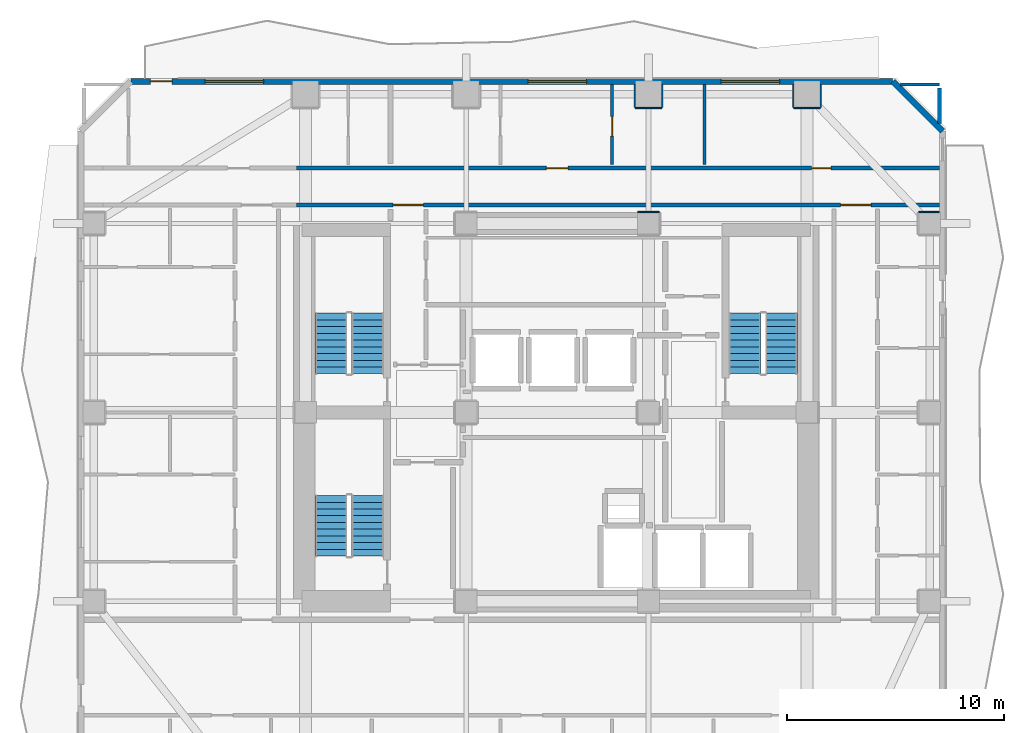
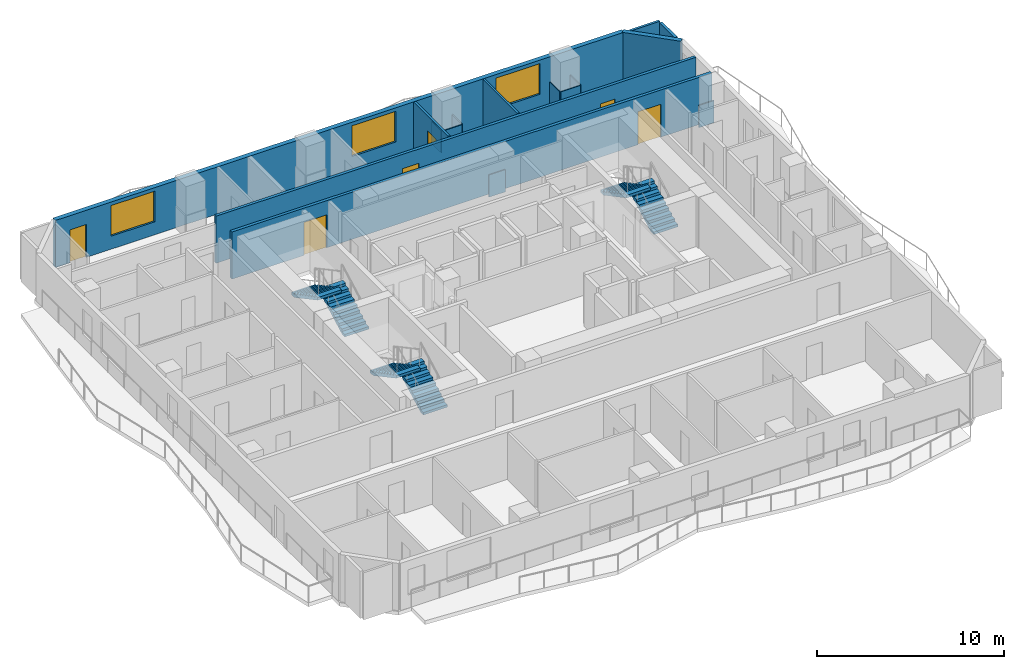
# One storey, part 7 of 11: 16 walls, 6 doors, 6 stair flights, 3 windows, 9 openings, 3 elements without a shape of their own.
"""IFC4 building model written with IfcOpenShell, lengths in metres."""

from ifc_helpers import new_model, si_unit, direction, frame, frame_2d, origin, place, context, subcontext, project, spatial, polyline, rectangle, outline, extrude, material, layer, layer_set, type_object, element, fill, aggregate, save


model = new_model("IFC4")

# Units and contexts
model_context = context("Model", 3, precision=1e-05, world=origin(), true_north=direction((0.0, 1.0)))
body_context = subcontext(model_context, "Body", "Model", "MODEL_VIEW")
ifc_project = project(units=[si_unit("LENGTHUNIT", "METRE"), si_unit("AREAUNIT", "SQUARE_METRE"), si_unit("VOLUMEUNIT", "CUBIC_METRE"), si_unit("PLANEANGLEUNIT", "RADIAN"), si_unit("MASSUNIT", "GRAM", prefix="KILO")], contexts=[model_context])

# Site, building, storey
site_placement = place(None, origin())
site = spatial("IfcSite", under=ifc_project, at=site_placement, CompositionType="ELEMENT")
building_placement = place(site_placement, origin())
building = spatial("IfcBuilding", under=site, at=building_placement, Name="Solanera Arch Residences", CompositionType="ELEMENT")
storey_placement = place(building_placement, frame((0.0, 0.0, 109.39990234375)))
storey = spatial("IfcBuildingStorey", under=building, at=storey_placement, Name="L31", CompositionType="ELEMENT", Elevation=109.39990234375)

# Walls
ifc_material_1 = material(Name="Fire-Rated Gypsum Stud Partition", Category="gypsum")
ifc_layer_1 = layer(ifc_material_1, 0.06005859375)
ifc_layer_set_1 = layer_set([ifc_layer_1], Name="Fire-Rated Gypsum Stud Partition")
wall_type_1 = type_object("IfcWallType", Name="Column Acoustic Furring Wall 60", PredefinedType="PARTITIONING", material=ifc_layer_set_1)
wall_1_placement = place(storey_placement, frame((28.699951171875, 39.931884765625, 0.0), z_axis=(0.0, 0.0, 1.0), x_axis=(1.0, 0.0, 0.0)))
element("IfcWall", 1, at=wall_1_placement, inside=storey, type_object=wall_type_1, Name="L31 Column Furring 4N", PredefinedType="PARTITIONING", context=body_context, shape_type="SweptSolid", body=[
    extrude(rectangle(XDim=1.0, YDim=0.06005859375, at=frame_2d((0.5, 0.0))), origin(), (0.0, 0.0, 1.0), 1.4501953125),
])
wall_2_placement = place(storey_placement, frame((28.60009765625, 44.718017578125, 0.0), z_axis=(0.0, 0.0, 1.0), x_axis=(1.0, 0.0, 0.0)))
element("IfcWall", 2, at=wall_2_placement, inside=storey, type_object=wall_type_1, Name="L31 Column Furring 14S", PredefinedType="PARTITIONING", context=body_context, shape_type="SweptSolid", body=[
    extrude(rectangle(XDim=1.199951171875, YDim=0.06005859375, at=frame_2d((0.60009765625, 0.0))), origin(), (0.0, 0.0, 1.0), 1.4501953125),
])
for number, where, z_axis, x_axis, name in (
    (3, (28.568115234375, 44.75, 0.0), (0.0, 0.0, 1.0), (0.0, 1.0, 0.0), "L31 Column Furring 14W"),
    (4, (29.83203125, 44.75, 0.0), (0.0, 0.0, 1.0), (0.0, 1.0, 0.0), "L31 Column Furring 14E"),
):
    element("IfcWall", number, at=place(storey_placement, frame(where, z_axis=z_axis, x_axis=x_axis)), inside=storey, type_object=wall_type_1, Name=name, PredefinedType="PARTITIONING", context=body_context, shape_type="SweptSolid", body=[
        extrude(rectangle(XDim=1.0400390625, YDim=0.06005859375, at=frame_2d((0.52001953125, 0.0))), origin(), (0.0, 0.0, 1.0), 1.4501953125),
    ])
wall_3_placement = place(storey_placement, frame((35.89990234375, 44.718017578125, 0.0), z_axis=(0.0, 0.0, 1.0), x_axis=(1.0, 0.0, 0.0)))
element("IfcWall", 5, at=wall_3_placement, inside=storey, type_object=wall_type_1, Name="L31 Column Furring 16S", PredefinedType="PARTITIONING", context=body_context, shape_type="SweptSolid", body=[
    extrude(rectangle(XDim=1.2001953125, YDim=0.06005859375, at=frame_2d((0.60009765625, 0.0))), origin(), (0.0, 0.0, 1.0), 1.4501953125),
])
for number, where, z_axis, x_axis, name in (
    (6, (35.867919921875, 44.75, 0.0), (0.0, 0.0, 1.0), (0.0, 1.0, 0.0), "L31 Column Furring 16W"),
    (7, (37.132080078125, 44.75, 0.0), (0.0, 0.0, 1.0), (0.0, 1.0, 0.0), "L31 Column Furring 16E"),
):
    element("IfcWall", number, at=place(storey_placement, frame(where, z_axis=z_axis, x_axis=x_axis)), inside=storey, type_object=wall_type_1, Name=name, PredefinedType="PARTITIONING", context=body_context, shape_type="SweptSolid", body=[
        extrude(rectangle(XDim=1.0400390625, YDim=0.06005859375, at=frame_2d((0.52001953125, 0.0))), origin(), (0.0, 0.0, 1.0), 1.4501953125),
    ])
wall_4_placement = place(storey_placement, frame((41.64990234375, 39.931884765625, 0.0), z_axis=(0.0, 0.0, 1.0), x_axis=(1.0, 0.0, 0.0)))
element("IfcWall", 8, at=wall_4_placement, inside=storey, type_object=wall_type_1, Name="L31 Column Furring 22N", PredefinedType="PARTITIONING", context=body_context, shape_type="SweptSolid", body=[
    extrude(rectangle(XDim=0.940185546875, YDim=0.06005859375, at=frame_2d((0.47021484375, 0.0))), origin(), (0.0, 0.0, 1.0), 1.4501953125),
])

# Wall, openings, doors
ifc_material_2 = material(Name="Autoclaved Aerated Concrete Blockwork", Category="masonry")
ifc_layer_2 = layer(ifc_material_2, 0.179931640625)
ifc_layer_set_2 = layer_set([ifc_layer_2], Name="Autoclaved Aerated Concrete Blockwork")
wall_type_2 = type_object("IfcWallType", Name="Corridor Fire Partition 180", PredefinedType="PARTITIONING", material=ifc_layer_set_2)
wall_5_placement = place(storey_placement, frame((12.97900390625, 40.25, 0.0), z_axis=(0.0, 0.0, 1.0), x_axis=(1.0, 0.0, 0.0)))
wall_5 = element("IfcWall", 9, at=wall_5_placement, inside=storey, type_object=wall_type_2, Name="L31 Interior Partition H11 3", PredefinedType="PARTITIONING", context=body_context, shape_type="SweptSolid", body=[
    extrude(rectangle(XDim=29.614013671875, YDim=0.179931640625, at=frame_2d((14.80712890625, 0.0))), origin(), (0.0, 0.0, 1.0), 3.080078125),
])
opening_1_placement = place(wall_5_placement, frame((4.4560546875, 0.0, 0.0)))
opening_1 = element("IfcOpeningElement", 10, at=opening_1_placement, cuts=wall_5, Name="Opening DF-03", PredefinedType="OPENING", context=body_context, shape_type="SweptSolid", body=[
    extrude(rectangle(XDim=1.39990234375, YDim=2.14990234375, at=frame_2d((0.699951171875, 1.074951171875))), frame((0.0, 0.10009765625, 0.0), z_axis=(0.0, -1.0, 0.0), x_axis=(1.0, 0.0, 0.0)), (0.0, 0.0, 1.0), 0.1999),
])
opening_2_placement = place(wall_5_placement, frame((25.071044921875, 0.0, 0.0)))
opening_2 = element("IfcOpeningElement", 11, at=opening_2_placement, cuts=wall_5, Name="Opening DF-03", PredefinedType="OPENING", context=body_context, shape_type="SweptSolid", body=[
    extrude(rectangle(XDim=1.39990234375, YDim=2.14990234375, at=frame_2d((0.699951171875, 1.074951171875))), frame((0.0, 0.10009765625, 0.0), z_axis=(0.0, -1.0, 0.0), x_axis=(1.0, 0.0, 0.0)), (0.0, 0.0, 1.0), 0.1999),
])
ifc_material_3 = material(Name="Fire-Rated Architectural Hardwood", Category="wood")
door_type_1 = type_object("IfcDoorType", Name="Corridor Smoke Door DF-03", OperationType="NOTDEFINED", PredefinedType="DOOR", material=ifc_material_3)
door_1_placement = place(opening_1_placement, origin())
door_1 = element("IfcDoor", 12, at=door_1_placement, inside=storey, type_object=door_type_1, Name="DR-L31-IN-009", OperationType="SINGLE_SWING_LEFT", OverallHeight=2.14990234375, OverallWidth=1.39990234375, PredefinedType="DOOR", context=body_context, shape_type="SweptSolid", body=[
    extrude(rectangle(XDim=1.39990234375, YDim=2.14990234375, at=frame_2d((0.699951171875, 1.074951171875))), frame((0.0, 0.02490234375, 0.0), z_axis=(0.0, -1.0, 0.0), x_axis=(1.0, 0.0, 0.0)), (0.0, 0.0, 1.0), 0.050048828125),
])
fill(opening_1, door_1)
door_2_placement = place(opening_2_placement, origin())
door_2 = element("IfcDoor", 13, at=door_2_placement, inside=storey, type_object=door_type_1, Name="DR-L31-IN-013", OperationType="SINGLE_SWING_LEFT", OverallHeight=2.14990234375, OverallWidth=1.39990234375, PredefinedType="DOOR", context=body_context, shape_type="SweptSolid", body=[
    extrude(rectangle(XDim=1.39990234375, YDim=2.14990234375, at=frame_2d((0.699951171875, 1.074951171875))), frame((0.0, 0.02490234375, 0.0), z_axis=(0.0, -1.0, 0.0), x_axis=(1.0, 0.0, 0.0)), (0.0, 0.0, 1.0), 0.050048828125),
])
fill(opening_2, door_2)

wall_6_placement = place(storey_placement, frame((12.97900390625, 41.949951171875, 0.0), z_axis=(0.0, 0.0, 1.0), x_axis=(1.0, 0.0, 0.0)))
wall_6 = element("IfcWall", 14, at=wall_6_placement, inside=storey, type_object=wall_type_2, Name="L31 Interior Partition H12 3", PredefinedType="PARTITIONING", context=body_context, shape_type="SweptSolid", body=[
    extrude(rectangle(XDim=29.614013671875, YDim=0.179931640625, at=frame_2d((14.80712890625, 0.0))), origin(), (0.0, 0.0, 1.0), 3.080078125),
])
opening_3_placement = place(wall_6_placement, frame((11.52099609375, 0.0, 0.0)))
opening_3 = element("IfcOpeningElement", 15, at=opening_3_placement, cuts=wall_6, Name="Opening DI-01", PredefinedType="OPENING", context=body_context, shape_type="SweptSolid", body=[
    extrude(rectangle(XDim=1.0, YDim=2.14990234375, at=frame_2d((0.5, 1.074951171875))), frame((0.0, 0.10009765625, 0.0), z_axis=(0.0, -1.0, 0.0), x_axis=(1.0, 0.0, 0.0)), (0.0, 0.0, 1.0), 0.1999),
])
opening_4_placement = place(wall_6_placement, frame((23.736083984375, 0.0, 0.0)))
opening_4 = element("IfcOpeningElement", 16, at=opening_4_placement, cuts=wall_6, Name="Opening DI-02", PredefinedType="OPENING", context=body_context, shape_type="SweptSolid", body=[
    extrude(rectangle(XDim=0.89990234375, YDim=2.10009765625, at=frame_2d((0.449951171875, 1.050048828125))), frame((0.0, 0.10009765625, 0.0), z_axis=(0.0, -1.0, 0.0), x_axis=(1.0, 0.0, 0.0)), (0.0, 0.0, 1.0), 0.1999),
])
ifc_material_4 = material(Name="Fire-Rated Architectural Hardwood", Category="wood")
door_type_2 = type_object("IfcDoorType", Name="Suite Room Swing Door DI-02", OperationType="NOTDEFINED", PredefinedType="DOOR", material=ifc_material_4)
door_3_placement = place(opening_4_placement, origin())
door_3 = element("IfcDoor", 17, at=door_3_placement, inside=storey, type_object=door_type_2, Name="DR-L31-IN-035", OperationType="SINGLE_SWING_LEFT", OverallHeight=2.10009765625, OverallWidth=0.89990234375, PredefinedType="DOOR", context=body_context, shape_type="SweptSolid", body=[
    extrude(rectangle(XDim=0.89990234375, YDim=2.10009765625, at=frame_2d((0.449951171875, 1.050048828125))), frame((0.0, 0.02490234375, 0.0), z_axis=(0.0, -1.0, 0.0), x_axis=(1.0, 0.0, 0.0)), (0.0, 0.0, 1.0), 0.050048828125),
])
fill(opening_4, door_3)
ifc_material_5 = material(Name="Fire-Rated Architectural Hardwood", Category="wood")
door_type_3 = type_object("IfcDoorType", Name="Unit Entrance Fire Door DI-01", OperationType="NOTDEFINED", PredefinedType="DOOR", material=ifc_material_5)
door_4_placement = place(opening_3_placement, origin())
door_4 = element("IfcDoor", 18, at=door_4_placement, inside=storey, type_object=door_type_3, Name="DR-L31-IN-032", OperationType="SINGLE_SWING_RIGHT", OverallHeight=2.14990234375, OverallWidth=1.0, PredefinedType="DOOR", context=body_context, shape_type="SweptSolid", body=[
    extrude(rectangle(XDim=1.0, YDim=2.14990234375, at=frame_2d((0.5, 1.074951171875))), frame((0.0, 0.02490234375, 0.0), z_axis=(0.0, -1.0, 0.0), x_axis=(1.0, 0.0, 0.0)), (0.0, 0.0, 1.0), 0.050048828125),
])
fill(opening_3, door_4)

# Wall
wall_7_placement = place(storey_placement, frame((42.60009765625, 44.0048828125, 0.0), z_axis=(0.0, 0.0, 1.0), x_axis=(0.0, 1.0, 0.0)))
element("IfcWall", 19, at=wall_7_placement, inside=storey, type_object=wall_type_2, Name="L31 Interior Partition V14 2", PredefinedType="PARTITIONING", context=body_context, shape_type="SweptSolid", body=[
    extrude(rectangle(XDim=1.627197265625, YDim=0.179931640625, at=frame_2d((0.8134765625, 0.0))), origin(), (0.0, 0.0, 1.0), 3.080078125),
])

# Wall, openings, door, windows
ifc_material_6 = material(Name="Precast Concrete C35/45", Category="concrete")
ifc_layer_3 = layer(ifc_material_6, 0.280029296875)
ifc_layer_set_3 = layer_set([ifc_layer_3], Name="Precast Concrete C35/45")
wall_type_3 = type_object("IfcWallType", Name="Exterior Wall Precast Masonry-Frame 280", PredefinedType="STANDARD", material=ifc_layer_set_3)
wall_8_placement = place(storey_placement, frame((5.35498046875, 45.945068359375, 0.0), z_axis=(0.0, 0.0, 1.0), x_axis=(1.0, 0.0, 0.0)))
wall_8 = element("IfcWall", 20, at=wall_8_placement, inside=storey, type_object=wall_type_3, Name="L31 Tower Exterior Precast Masonry-Frame Wall N", PredefinedType="STANDARD", context=body_context, shape_type="SweptSolid", body=[
    extrude(rectangle(XDim=35.090087890625, YDim=0.280029296875, at=frame_2d((17.544921875, 0.0))), origin(), (0.0, 0.0, 1.0), 3.080078125),
])
opening_5_placement = place(wall_8_placement, frame((0.904052734375, 0.0, 0.0)))
opening_5 = element("IfcOpeningElement", 21, at=opening_5_placement, cuts=wall_8, Name="Opening DB-01", PredefinedType="OPENING", context=body_context, shape_type="SweptSolid", body=[
    extrude(rectangle(XDim=1.0, YDim=2.14990234375, at=frame_2d((0.5, 1.074951171875))), frame((0.0, 0.14990234375, 0.0), z_axis=(0.0, -1.0, 0.0), x_axis=(1.0, 0.0, 0.0)), (0.0, 0.0, 1.0), 0.3),
])
opening_6_placement = place(wall_8_placement, frame((3.424072265625, 0.0, 0.85009765625)))
opening_6 = element("IfcOpeningElement", 22, at=opening_6_placement, cuts=wall_8, Name="Opening W-09", PredefinedType="OPENING", context=body_context, shape_type="SweptSolid", body=[
    extrude(rectangle(XDim=2.699951171875, YDim=2.0, at=frame_2d((1.35009765625, 1.0))), frame((0.0, 0.14990234375, 0.0), z_axis=(0.0, -1.0, 0.0), x_axis=(1.0, 0.0, 0.0)), (0.0, 0.0, 1.0), 0.3),
])
opening_7_placement = place(wall_8_placement, frame((18.294921875, 0.0, 0.85009765625)))
opening_7 = element("IfcOpeningElement", 23, at=opening_7_placement, cuts=wall_8, Name="Opening W-09", PredefinedType="OPENING", context=body_context, shape_type="SweptSolid", body=[
    extrude(rectangle(XDim=2.699951171875, YDim=2.0, at=frame_2d((1.35009765625, 1.0))), frame((0.0, 0.14990234375, 0.0), z_axis=(0.0, -1.0, 0.0), x_axis=(1.0, 0.0, 0.0)), (0.0, 0.0, 1.0), 0.3),
])
opening_8_placement = place(wall_8_placement, frame((27.18408203125, 0.0, 0.85009765625)))
opening_8 = element("IfcOpeningElement", 24, at=opening_8_placement, cuts=wall_8, Name="Opening W-09", PredefinedType="OPENING", context=body_context, shape_type="SweptSolid", body=[
    extrude(rectangle(XDim=2.699951171875, YDim=2.0, at=frame_2d((1.35009765625, 1.0))), frame((0.0, 0.14990234375, 0.0), z_axis=(0.0, -1.0, 0.0), x_axis=(1.0, 0.0, 0.0)), (0.0, 0.0, 1.0), 0.3),
])
ifc_material_7 = material(Name="Anodised Aluminium Alloy 6063-T6", Category="aluminium")
door_type_4 = type_object("IfcDoorType", Name="Glazed Balcony Swing Door DB-01", OperationType="NOTDEFINED", PredefinedType="DOOR", material=ifc_material_7)
door_5_placement = place(opening_5_placement, origin())
door_5 = element("IfcDoor", 25, at=door_5_placement, inside=storey, type_object=door_type_4, Name="DR-L31-OUT-02", OperationType="SINGLE_SWING_RIGHT", OverallHeight=2.14990234375, OverallWidth=1.0, PredefinedType="DOOR", context=body_context, shape_type="SweptSolid", body=[
    extrude(rectangle(XDim=1.0, YDim=2.14990234375, at=frame_2d((0.5, 1.074951171875))), frame((0.0, 0.02490234375, 0.0), z_axis=(0.0, -1.0, 0.0), x_axis=(1.0, 0.0, 0.0)), (0.0, 0.0, 1.0), 0.050048828125),
])
fill(opening_5, door_5)
ifc_material_8 = material(Name="Double Glazed Low-E Laminated Glass", Category="glass")
window_type = type_object("IfcWindowType", Name="Punched Window W-09", PartitioningType="TRIPLE_PANEL_VERTICAL", PredefinedType="WINDOW", material=ifc_material_8)
window_1_placement = place(opening_6_placement, origin())
window_1 = element("IfcWindow", 26, at=window_1_placement, inside=storey, type_object=window_type, Name="L31 3104-LIV Punched Window", OverallHeight=2.0, OverallWidth=2.699951171875, PartitioningType="SINGLE_PANEL", PredefinedType="WINDOW", context=body_context, shape_type="SweptSolid", body=[
    extrude(rectangle(XDim=2.699951171875, YDim=2.0, at=frame_2d((1.35009765625, 1.0))), frame((0.0, 0.030029296875, 0.0), z_axis=(0.0, -1.0, 0.0), x_axis=(1.0, 0.0, 0.0)), (0.0, 0.0, 1.0), 0.06005859375),
])
fill(opening_6, window_1)
window_2_placement = place(opening_7_placement, origin())
window_2 = element("IfcWindow", 27, at=window_2_placement, inside=storey, type_object=window_type, Name="L31 3105-LIV Punched Window", OverallHeight=2.0, OverallWidth=2.699951171875, PartitioningType="SINGLE_PANEL", PredefinedType="WINDOW", context=body_context, shape_type="SweptSolid", body=[
    extrude(rectangle(XDim=2.699951171875, YDim=2.0, at=frame_2d((1.35009765625, 1.0))), frame((0.0, 0.030029296875, 0.0), z_axis=(0.0, -1.0, 0.0), x_axis=(1.0, 0.0, 0.0)), (0.0, 0.0, 1.0), 0.06005859375),
])
fill(opening_7, window_2)
window_3_placement = place(opening_8_placement, origin())
window_3 = element("IfcWindow", 28, at=window_3_placement, inside=storey, type_object=window_type, Name="L31 AMN-OFF Punched Window", OverallHeight=2.0, OverallWidth=2.699951171875, PartitioningType="SINGLE_PANEL", PredefinedType="WINDOW", context=body_context, shape_type="SweptSolid", body=[
    extrude(rectangle(XDim=2.699951171875, YDim=2.0, at=frame_2d((1.35009765625, 1.0))), frame((0.0, 0.030029296875, 0.0), z_axis=(0.0, -1.0, 0.0), x_axis=(1.0, 0.0, 0.0)), (0.0, 0.0, 1.0), 0.06005859375),
])
fill(opening_8, window_3)

# Walls
wall_9_placement = place(storey_placement, frame((40.445068359375, 45.945068359375, 0.0), z_axis=(0.0, 0.0, 1.0), x_axis=(0.707106781187, -0.707106781187, 0.0)))
element("IfcWall", 29, at=wall_9_placement, inside=storey, type_object=wall_type_3, Name="L31 Tower Exterior Precast Masonry-Frame Wall CH3", PredefinedType="STANDARD", context=body_context, shape_type="SweptSolid", body=[
    extrude(rectangle(XDim=3.252685546875, YDim=0.280029296875, at=frame_2d((1.62646484375, 0.0))), origin(), (0.0, 0.0, 1.0), 3.080078125),
])
ifc_material_9 = material(Name="Fire-Rated Gypsum Stud Partition", Category="gypsum")
ifc_layer_4 = layer(ifc_material_9, 0.1201171875)
ifc_layer_set_4 = layer_set([ifc_layer_4], Name="Fire-Rated Gypsum Stud Partition")
wall_type_4 = type_object("IfcWallType", Name="Unit Drywall Partition 120", PredefinedType="PARTITIONING", material=ifc_layer_set_4)
wall_10_placement = place(storey_placement, frame((31.778076171875, 42.10791015625, 0.0), z_axis=(0.0, 0.0, 1.0), x_axis=(0.0, 1.0, 0.0)))
element("IfcWall", 30, at=wall_10_placement, inside=storey, type_object=wall_type_4, Name="L31 Interior Partition V28", PredefinedType="PARTITIONING", context=body_context, shape_type="SweptSolid", body=[
    extrude(rectangle(XDim=3.68505859375, YDim=0.1201171875, at=frame_2d((1.842529296875, 0.0))), origin(), (0.0, 0.0, 1.0), 3.080078125),
])
ifc_material_10 = material(Name="Autoclaved Aerated Concrete Blockwork", Category="masonry")
ifc_layer_5 = layer(ifc_material_10, 0.139892578125)
ifc_layer_set_5 = layer_set([ifc_layer_5], Name="Autoclaved Aerated Concrete Blockwork")
wall_type_5 = type_object("IfcWallType", Name="Wet-Room Partition 140", PredefinedType="PARTITIONING", material=ifc_layer_set_5)
wall_11_placement = place(storey_placement, frame((40.804931640625, 45.800048828125, 0.0), z_axis=(0.0, 0.0, 1.0), x_axis=(1.0, 0.0, 0.0)))
element("IfcWall", 31, at=wall_11_placement, inside=storey, type_object=wall_type_5, Name="L31 Interior Partition H24 2", PredefinedType="PARTITIONING", context=body_context, shape_type="SweptSolid", body=[
    extrude(rectangle(XDim=1.795166015625, YDim=0.139892578125, at=frame_2d((0.8974609375, 0.0))), origin(), (0.0, 0.0, 1.0), 3.080078125),
])

# Wall, opening, door
wall_12_placement = place(storey_placement, frame((27.52001953125, 42.117919921875, 0.0), z_axis=(0.0, 0.0, 1.0), x_axis=(0.0, 1.0, 0.0)))
wall_12 = element("IfcWall", 32, at=wall_12_placement, inside=storey, type_object=wall_type_5, Name="L31 Interior Partition V23", PredefinedType="PARTITIONING", context=body_context, shape_type="SweptSolid", body=[
    extrude(rectangle(XDim=3.675048828125, YDim=0.139892578125, at=frame_2d((1.83740234375, 0.0))), origin(), (0.0, 0.0, 1.0), 3.080078125),
])
opening_9_placement = place(wall_12_placement, frame((1.306884765625, 0.0, 0.0)))
opening_9 = element("IfcOpeningElement", 33, at=opening_9_placement, cuts=wall_12, Name="Opening DI-02", PredefinedType="OPENING", context=body_context, shape_type="SweptSolid", body=[
    extrude(rectangle(XDim=0.89990234375, YDim=2.10009765625, at=frame_2d((0.449951171875, 1.050048828125))), frame((0.0, 0.079833984375, 0.0), z_axis=(0.0, -1.0, 0.0), x_axis=(1.0, 0.0, 0.0)), (0.0, 0.0, 1.0), 0.1599),
])
door_6_placement = place(opening_9_placement, origin())
door_6 = element("IfcDoor", 34, at=door_6_placement, inside=storey, type_object=door_type_2, Name="DR-L31-IN-034", OperationType="SINGLE_SWING_RIGHT", OverallHeight=2.10009765625, OverallWidth=0.89990234375, PredefinedType="DOOR", context=body_context, shape_type="SweptSolid", body=[
    extrude(rectangle(XDim=0.89990234375, YDim=2.10009765625, at=frame_2d((0.449951171875, 1.050048828125))), frame((0.0, 0.02490234375, 0.0), z_axis=(0.0, -1.0, 0.0), x_axis=(1.0, 0.0, 0.0)), (0.0, 0.0, 1.0), 0.050048828125),
])
fill(opening_9, door_6)

# Stair, stair flights
ifc_material_11 = material(Name="Concrete C40/50 (f'c = 45 MPa)", Category="concrete")
stair_type = type_object("IfcStairType", Name="Tower Dogleg Exit Stair 1480", PredefinedType="HALF_TURN_STAIR", material=ifc_material_11)
stair_1_placement = place(storey_placement, origin())
stair_1 = element("IfcStair", 35, at=stair_1_placement, inside=storey, type_object=stair_type, Name="L31 Tower Core Exit Stair 1", PredefinedType="HALF_TURN_STAIR")
ifc_material_12 = material(Name="Concrete C40/50 (f'c = 45 MPa)", Category="concrete")
stair_flight_type = type_object("IfcStairFlightType", Name="Tower Precast Stair Flight 1480", PredefinedType="STRAIGHT", material=ifc_material_12)
stair_flight_1_placement = place(storey_placement, frame((16.260009765625, 32.47998046875, 0.0), z_axis=(0.0, 0.0, 1.0), x_axis=(0.0, 1.0, 0.0)))
stair_flight_1 = element("IfcStairFlight", 36, at=stair_flight_1_placement, type_object=stair_flight_type, Name="ST-T1 flight 1", NumberOfRisers=10, NumberOfTreads=9, PredefinedType="STRAIGHT", RiserHeight=0.166, TreadLength=0.31, context=body_context, shape_type="SweptSolid", body=[
    extrude(outline(polyline([(0.0, 0.0), (0.0, 0.166015625), (0.31005859375, 0.166015625), (0.31005859375, 0.33203125), (0.6201171875, 0.33203125), (0.6201171875, 0.498046875), (0.929931640625, 0.498046875), (0.929931640625, 0.6640625), (1.239990234375, 0.6640625), (1.239990234375, 0.830078125), (1.550048828125, 0.830078125), (1.550048828125, 0.99609375), (1.860107421875, 0.99609375), (1.860107421875, 1.162109375), (2.169921875, 1.162109375), (2.169921875, 1.327880859375), (2.47998046875, 1.327880859375), (2.47998046875, 1.493896484375), (2.7900390625, 1.493896484375), (2.7900390625, 1.659912109375), (2.7900390625, 1.323974609375), (0.317626953125, 0.0), (0.0, 0.0)])), frame((0.0, 0.739990234375, 0.0), z_axis=(0.0, -1.0, 0.0), x_axis=(1.0, 0.0, 0.0)), (0.0, 0.0, 1.0), 1.47998046875),
])
stair_flight_2_placement = place(storey_placement, frame((14.580078125, 35.27001953125, 1.66015625), z_axis=(0.0, 0.0, 1.0), x_axis=(0.0, -1.0, 0.0)))
stair_flight_2 = element("IfcStairFlight", 37, at=stair_flight_2_placement, type_object=stair_flight_type, Name="ST-T1 flight 2", NumberOfRisers=10, NumberOfTreads=9, PredefinedType="STRAIGHT", RiserHeight=0.166, TreadLength=0.31, context=body_context, shape_type="SweptSolid", body=[
    extrude(outline(polyline([(0.0, 0.0), (0.0, 0.166015625), (0.31005859375, 0.166015625), (0.31005859375, 0.33203125), (0.6201171875, 0.33203125), (0.6201171875, 0.498046875), (0.929931640625, 0.498046875), (0.929931640625, 0.6640625), (1.239990234375, 0.6640625), (1.239990234375, 0.830078125), (1.550048828125, 0.830078125), (1.550048828125, 0.99609375), (1.860107421875, 0.99609375), (1.860107421875, 1.162109375), (2.169921875, 1.162109375), (2.169921875, 1.327880859375), (2.47998046875, 1.327880859375), (2.47998046875, 1.493896484375), (2.7900390625, 1.493896484375), (2.7900390625, 1.659912109375), (2.7900390625, 1.323974609375), (0.317626953125, 0.0), (0.0, 0.0)])), frame((0.0, 0.739990234375, 0.0), z_axis=(0.0, -1.0, 0.0), x_axis=(1.0, 0.0, 0.0)), (0.0, 0.0, 1.0), 1.47998046875),
])
aggregate(stair_1, [stair_flight_1, stair_flight_2])

stair_2_placement = place(storey_placement, origin())
stair_2 = element("IfcStair", 38, at=stair_2_placement, inside=storey, type_object=stair_type, Name="L31 Tower Core Exit Stair 2", PredefinedType="HALF_TURN_STAIR")
stair_flight_3_placement = place(storey_placement, frame((35.320068359375, 32.47998046875, 0.0), z_axis=(0.0, 0.0, 1.0), x_axis=(0.0, 1.0, 0.0)))
stair_flight_3 = element("IfcStairFlight", 39, at=stair_flight_3_placement, type_object=stair_flight_type, Name="ST-T2 flight 1", NumberOfRisers=10, NumberOfTreads=9, PredefinedType="STRAIGHT", RiserHeight=0.166, TreadLength=0.31, context=body_context, shape_type="SweptSolid", body=[
    extrude(outline(polyline([(0.0, 0.0), (0.0, 0.166015625), (0.31005859375, 0.166015625), (0.31005859375, 0.33203125), (0.6201171875, 0.33203125), (0.6201171875, 0.498046875), (0.929931640625, 0.498046875), (0.929931640625, 0.6640625), (1.239990234375, 0.6640625), (1.239990234375, 0.830078125), (1.550048828125, 0.830078125), (1.550048828125, 0.99609375), (1.860107421875, 0.99609375), (1.860107421875, 1.162109375), (2.169921875, 1.162109375), (2.169921875, 1.327880859375), (2.47998046875, 1.327880859375), (2.47998046875, 1.493896484375), (2.7900390625, 1.493896484375), (2.7900390625, 1.659912109375), (2.7900390625, 1.323974609375), (0.317626953125, 0.0), (0.0, 0.0)])), frame((0.0, 0.739990234375, 0.0), z_axis=(0.0, -1.0, 0.0), x_axis=(1.0, 0.0, 0.0)), (0.0, 0.0, 1.0), 1.47998046875),
])
stair_flight_4_placement = place(storey_placement, frame((33.639892578125, 35.27001953125, 1.66015625), z_axis=(0.0, 0.0, 1.0), x_axis=(0.0, -1.0, 0.0)))
stair_flight_4 = element("IfcStairFlight", 40, at=stair_flight_4_placement, type_object=stair_flight_type, Name="ST-T2 flight 2", NumberOfRisers=10, NumberOfTreads=9, PredefinedType="STRAIGHT", RiserHeight=0.166, TreadLength=0.31, context=body_context, shape_type="SweptSolid", body=[
    extrude(outline(polyline([(0.0, 0.0), (0.0, 0.166015625), (0.31005859375, 0.166015625), (0.31005859375, 0.33203125), (0.6201171875, 0.33203125), (0.6201171875, 0.498046875), (0.929931640625, 0.498046875), (0.929931640625, 0.6640625), (1.239990234375, 0.6640625), (1.239990234375, 0.830078125), (1.550048828125, 0.830078125), (1.550048828125, 0.99609375), (1.860107421875, 0.99609375), (1.860107421875, 1.162109375), (2.169921875, 1.162109375), (2.169921875, 1.327880859375), (2.47998046875, 1.327880859375), (2.47998046875, 1.493896484375), (2.7900390625, 1.493896484375), (2.7900390625, 1.659912109375), (2.7900390625, 1.323974609375), (0.317626953125, 0.0), (0.0, 0.0)])), frame((0.0, 0.739990234375, 0.0), z_axis=(0.0, -1.0, 0.0), x_axis=(1.0, 0.0, 0.0)), (0.0, 0.0, 1.0), 1.47998046875),
])
aggregate(stair_2, [stair_flight_3, stair_flight_4])

stair_3_placement = place(storey_placement, origin())
stair_3 = element("IfcStair", 41, at=stair_3_placement, inside=storey, type_object=stair_type, Name="L31 Tower Core Exit Stair 3", PredefinedType="HALF_TURN_STAIR")
stair_flight_5_placement = place(storey_placement, frame((16.260009765625, 24.080078125, 0.0), z_axis=(0.0, 0.0, 1.0), x_axis=(0.0, 1.0, 0.0)))
stair_flight_5 = element("IfcStairFlight", 42, at=stair_flight_5_placement, type_object=stair_flight_type, Name="ST-T3 flight 1", NumberOfRisers=10, NumberOfTreads=9, PredefinedType="STRAIGHT", RiserHeight=0.166, TreadLength=0.31, context=body_context, shape_type="SweptSolid", body=[
    extrude(outline(polyline([(0.0, 0.0), (0.0, 0.166015625), (0.31005859375, 0.166015625), (0.31005859375, 0.33203125), (0.6201171875, 0.33203125), (0.6201171875, 0.498046875), (0.929931640625, 0.498046875), (0.929931640625, 0.6640625), (1.239990234375, 0.6640625), (1.239990234375, 0.830078125), (1.550048828125, 0.830078125), (1.550048828125, 0.99609375), (1.860107421875, 0.99609375), (1.860107421875, 1.162109375), (2.169921875, 1.162109375), (2.169921875, 1.327880859375), (2.47998046875, 1.327880859375), (2.47998046875, 1.493896484375), (2.7900390625, 1.493896484375), (2.7900390625, 1.659912109375), (2.7900390625, 1.323974609375), (0.317626953125, 0.0), (0.0, 0.0)])), frame((0.0, 0.739990234375, 0.0), z_axis=(0.0, -1.0, 0.0), x_axis=(1.0, 0.0, 0.0)), (0.0, 0.0, 1.0), 1.47998046875),
])
stair_flight_6_placement = place(storey_placement, frame((14.580078125, 26.8701171875, 1.66015625), z_axis=(0.0, 0.0, 1.0), x_axis=(0.0, -1.0, 0.0)))
stair_flight_6 = element("IfcStairFlight", 43, at=stair_flight_6_placement, type_object=stair_flight_type, Name="ST-T3 flight 2", NumberOfRisers=10, NumberOfTreads=9, PredefinedType="STRAIGHT", RiserHeight=0.166, TreadLength=0.31, context=body_context, shape_type="SweptSolid", body=[
    extrude(outline(polyline([(0.0, 0.0), (0.0, 0.166015625), (0.31005859375, 0.166015625), (0.31005859375, 0.33203125), (0.6201171875, 0.33203125), (0.6201171875, 0.498046875), (0.929931640625, 0.498046875), (0.929931640625, 0.6640625), (1.239990234375, 0.6640625), (1.239990234375, 0.830078125), (1.550048828125, 0.830078125), (1.550048828125, 0.99609375), (1.860107421875, 0.99609375), (1.860107421875, 1.162109375), (2.169921875, 1.162109375), (2.169921875, 1.327880859375), (2.47998046875, 1.327880859375), (2.47998046875, 1.493896484375), (2.7900390625, 1.493896484375), (2.7900390625, 1.659912109375), (2.7900390625, 1.323974609375), (0.317626953125, 0.0), (0.0, 0.0)])), frame((0.0, 0.739990234375, 0.0), z_axis=(0.0, -1.0, 0.0), x_axis=(1.0, 0.0, 0.0)), (0.0, 0.0, 1.0), 1.47998046875),
])
aggregate(stair_3, [stair_flight_5, stair_flight_6])

save(model, "model.ifc")
